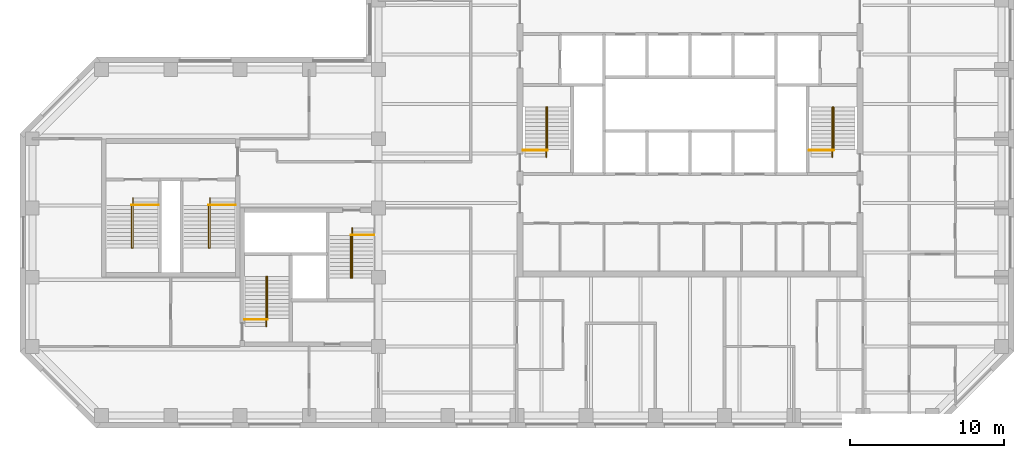
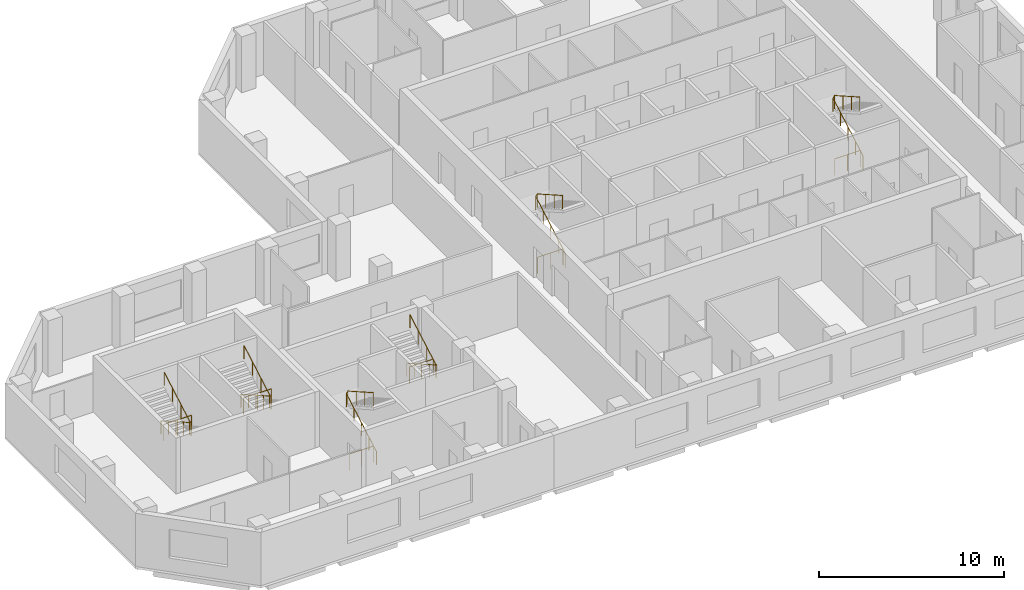
# One storey, part 9 of 9: 12 railings.
"""IFC4 building model written with IfcOpenShell, lengths in metres."""

from ifc_helpers import new_model, si_unit, direction, frame, origin, origin_2d, place, context, subcontext, project, spatial, circle, extrude, material, type_object, element, save


model = new_model("IFC4")

# Units and contexts
model_context = context("Model", 3, precision=1e-05, world=origin(), true_north=direction((0.0, 1.0)))
body_context = subcontext(model_context, "Body", "Model", "MODEL_VIEW")
ifc_project = project(units=[si_unit("LENGTHUNIT", "METRE"), si_unit("AREAUNIT", "SQUARE_METRE"), si_unit("VOLUMEUNIT", "CUBIC_METRE"), si_unit("PLANEANGLEUNIT", "RADIAN"), si_unit("MASSUNIT", "GRAM", prefix="KILO")], contexts=[model_context])

# Site, building, storey
site_placement = place(None, origin())
site = spatial("IfcSite", under=ifc_project, at=site_placement, CompositionType="ELEMENT")
building_placement = place(site_placement, origin())
building = spatial("IfcBuilding", under=site, at=building_placement, Name="Quoin Convention Tower", CompositionType="ELEMENT")
storey_placement = place(building_placement, frame((0.0, 0.0, 162.5)))
storey = spatial("IfcBuildingStorey", under=building, at=storey_placement, Name="L42", CompositionType="ELEMENT", Elevation=162.5)

# Railings
ifc_material = material(Name="Stainless steel", Category="steel")
railing_type_1 = type_object("IfcRailingType", Name="Stair handrail 900", PredefinedType="HANDRAIL", material=ifc_material)
railing_1_placement = place(storey_placement, frame((46.905029296875, 57.300048828125, 0.142333984375)))
element("IfcRailing", 1, at=railing_1_placement, inside=storey, type_object=railing_type_1, Name="SD1 handrail 1", PredefinedType="HANDRAIL", context=body_context, shape_type="SweptSolid", body=[
    extrude(circle(Radius=0.02392578125, at=origin_2d()), frame((0.0, 0.0, 0.8759765625), z_axis=(0.0, 0.869081571614, 0.494668800189), x_axis=(-1.0, 0.0, 0.0)), (0.0, 0.0, 1.0), 3.739501953125),
    extrude(circle(Radius=0.02392578125, at=origin_2d()), frame((0.0, 3.25, 2.7255859375), z_axis=(0.53481069233, 0.0, 0.844971906852), x_axis=(0.0, 1.0, 0.0)), (0.0, 0.0, 1.0), 0.16845703125),
    extrude(circle(Radius=0.02392578125, at=origin_2d()), frame((0.090087890625, 3.25, 2.8681640625), z_axis=(0.0, -0.869058607571, 0.494709143443), x_axis=(1.0, 0.0, 0.0)), (0.0, 0.0, 1.0), 3.164306640625),
    extrude(circle(Radius=0.02099609375, at=origin_2d()), origin(), (0.0, 0.0, 1.0), 0.851806640625),
    extrude(circle(Radius=0.02099609375, at=origin_2d()), frame((0.0, 0.8125, 0.46240234375)), (0.0, 0.0, 1.0), 0.851806640625),
    extrude(circle(Radius=0.02099609375, at=origin_2d()), frame((0.0, 1.625, 0.9248046875)), (0.0, 0.0, 1.0), 0.851806640625),
    extrude(circle(Radius=0.02099609375, at=origin_2d()), frame((0.0, 2.4375, 1.387451171875)), (0.0, 0.0, 1.0), 0.851806640625),
    extrude(circle(Radius=0.02099609375, at=origin_2d()), frame((0.0, 3.25, 1.849853515625)), (0.0, 0.0, 1.0), 0.851806640625),
    extrude(circle(Radius=0.02099609375, at=origin_2d()), frame((0.090087890625, 3.25, 1.9921875)), (0.0, 0.0, 1.0), 0.851806640625),
    extrude(circle(Radius=0.02099609375, at=origin_2d()), frame((0.090087890625, 2.333251953125, 2.513916015625)), (0.0, 0.0, 1.0), 0.851806640625),
    extrude(circle(Radius=0.02099609375, at=origin_2d()), frame((0.090087890625, 1.416748046875, 3.035888671875)), (0.0, 0.0, 1.0), 0.851806640625),
    extrude(circle(Radius=0.02099609375, at=origin_2d()), frame((0.090087890625, 0.5, 3.5576171875)), (0.0, 0.0, 1.0), 0.851806640625),
])
railing_2_placement = place(storey_placement, frame((65.5048828125, 57.300048828125, 0.142333984375)))
element("IfcRailing", 2, at=railing_2_placement, inside=storey, type_object=railing_type_1, Name="SD2 handrail 1", PredefinedType="HANDRAIL", context=body_context, shape_type="SweptSolid", body=[
    extrude(circle(Radius=0.02392578125, at=origin_2d()), frame((0.0, 0.0, 0.8759765625), z_axis=(0.0, 0.869081571614, 0.494668800189), x_axis=(-1.0, 0.0, 0.0)), (0.0, 0.0, 1.0), 3.739501953125),
    extrude(circle(Radius=0.02392578125, at=origin_2d()), frame((0.0, 3.25, 2.7255859375), z_axis=(0.53481069233, 0.0, 0.844971906852), x_axis=(0.0, 1.0, 0.0)), (0.0, 0.0, 1.0), 0.16845703125),
    extrude(circle(Radius=0.02392578125, at=origin_2d()), frame((0.090087890625, 3.25, 2.8681640625), z_axis=(0.0, -0.869058607571, 0.494709143443), x_axis=(1.0, 0.0, 0.0)), (0.0, 0.0, 1.0), 3.164306640625),
    extrude(circle(Radius=0.02099609375, at=origin_2d()), origin(), (0.0, 0.0, 1.0), 0.851806640625),
    extrude(circle(Radius=0.02099609375, at=origin_2d()), frame((0.0, 0.8125, 0.46240234375)), (0.0, 0.0, 1.0), 0.851806640625),
    extrude(circle(Radius=0.02099609375, at=origin_2d()), frame((0.0, 1.625, 0.9248046875)), (0.0, 0.0, 1.0), 0.851806640625),
    extrude(circle(Radius=0.02099609375, at=origin_2d()), frame((0.0, 2.4375, 1.387451171875)), (0.0, 0.0, 1.0), 0.851806640625),
    extrude(circle(Radius=0.02099609375, at=origin_2d()), frame((0.0, 3.25, 1.849853515625)), (0.0, 0.0, 1.0), 0.851806640625),
    extrude(circle(Radius=0.02099609375, at=origin_2d()), frame((0.090087890625, 3.25, 1.9921875)), (0.0, 0.0, 1.0), 0.851806640625),
    extrude(circle(Radius=0.02099609375, at=origin_2d()), frame((0.090087890625, 2.333251953125, 2.513916015625)), (0.0, 0.0, 1.0), 0.851806640625),
    extrude(circle(Radius=0.02099609375, at=origin_2d()), frame((0.090087890625, 1.416748046875, 3.035888671875)), (0.0, 0.0, 1.0), 0.851806640625),
    extrude(circle(Radius=0.02099609375, at=origin_2d()), frame((0.090087890625, 0.5, 3.5576171875)), (0.0, 0.0, 1.0), 0.851806640625),
])
railing_3_placement = place(storey_placement, frame((28.705078125, 46.300048828125, 0.142333984375)))
element("IfcRailing", 3, at=railing_3_placement, inside=storey, type_object=railing_type_1, Name="SD3 handrail 1", PredefinedType="HANDRAIL", context=body_context, shape_type="SweptSolid", body=[
    extrude(circle(Radius=0.02392578125, at=origin_2d()), frame((0.0, 0.0, 0.8759765625), z_axis=(0.0, 0.869081571614, 0.494668800189), x_axis=(-1.0, 0.0, 0.0)), (0.0, 0.0, 1.0), 3.739501953125),
    extrude(circle(Radius=0.02392578125, at=origin_2d()), frame((0.0, 3.25, 2.7255859375), z_axis=(0.533774684331, 0.0, 0.845626741753), x_axis=(0.0, 1.0, 0.0)), (0.0, 0.0, 1.0), 0.168212890625),
    extrude(circle(Radius=0.02392578125, at=origin_2d()), frame((0.08984375, 3.25, 2.8681640625), z_axis=(0.0, -0.869058607571, 0.494709143443), x_axis=(1.0, 0.0, 0.0)), (0.0, 0.0, 1.0), 3.164306640625),
    extrude(circle(Radius=0.02099609375, at=origin_2d()), origin(), (0.0, 0.0, 1.0), 0.851806640625),
    extrude(circle(Radius=0.02099609375, at=origin_2d()), frame((0.0, 0.8125, 0.46240234375)), (0.0, 0.0, 1.0), 0.851806640625),
    extrude(circle(Radius=0.02099609375, at=origin_2d()), frame((0.0, 1.625, 0.9248046875)), (0.0, 0.0, 1.0), 0.851806640625),
    extrude(circle(Radius=0.02099609375, at=origin_2d()), frame((0.0, 2.4375, 1.387451171875)), (0.0, 0.0, 1.0), 0.851806640625),
    extrude(circle(Radius=0.02099609375, at=origin_2d()), frame((0.0, 3.25, 1.849853515625)), (0.0, 0.0, 1.0), 0.851806640625),
    extrude(circle(Radius=0.02099609375, at=origin_2d()), frame((0.08984375, 3.25, 1.9921875)), (0.0, 0.0, 1.0), 0.851806640625),
    extrude(circle(Radius=0.02099609375, at=origin_2d()), frame((0.08984375, 2.333251953125, 2.513916015625)), (0.0, 0.0, 1.0), 0.851806640625),
    extrude(circle(Radius=0.02099609375, at=origin_2d()), frame((0.08984375, 1.416748046875, 3.035888671875)), (0.0, 0.0, 1.0), 0.851806640625),
    extrude(circle(Radius=0.02099609375, at=origin_2d()), frame((0.08984375, 0.5, 3.5576171875)), (0.0, 0.0, 1.0), 0.851806640625),
])
railing_4_placement = place(storey_placement, frame((34.294921875, 52.699951171875, 0.142333984375)))
element("IfcRailing", 4, at=railing_4_placement, inside=storey, type_object=railing_type_1, Name="SD4 handrail 1", PredefinedType="HANDRAIL", context=body_context, shape_type="SweptSolid", body=[
    extrude(circle(Radius=0.02392578125, at=origin_2d()), frame((0.0, 0.0, 0.8759765625), z_axis=(0.0, -0.869081571614, 0.494668800189), x_axis=(1.0, 0.0, 0.0)), (0.0, 0.0, 1.0), 3.739501953125),
    extrude(circle(Radius=0.02392578125, at=origin_2d()), frame((0.0, -3.25, 2.7255859375), z_axis=(-0.533774684331, 0.0, 0.845626741753), x_axis=(0.0, -1.0, 0.0)), (0.0, 0.0, 1.0), 0.168212890625),
    extrude(circle(Radius=0.02392578125, at=origin_2d()), frame((-0.08984375, -3.25, 2.8681640625), z_axis=(0.0, 0.869058607571, 0.494709143443), x_axis=(-1.0, 0.0, 0.0)), (0.0, 0.0, 1.0), 3.164306640625),
    extrude(circle(Radius=0.02099609375, at=origin_2d()), origin(), (0.0, 0.0, 1.0), 0.851806640625),
    extrude(circle(Radius=0.02099609375, at=origin_2d()), frame((0.0, -0.8125, 0.46240234375)), (0.0, 0.0, 1.0), 0.851806640625),
    extrude(circle(Radius=0.02099609375, at=origin_2d()), frame((0.0, -1.625, 0.9248046875)), (0.0, 0.0, 1.0), 0.851806640625),
    extrude(circle(Radius=0.02099609375, at=origin_2d()), frame((0.0, -2.4375, 1.387451171875)), (0.0, 0.0, 1.0), 0.851806640625),
    extrude(circle(Radius=0.02099609375, at=origin_2d()), frame((0.0, -3.25, 1.849853515625)), (0.0, 0.0, 1.0), 0.851806640625),
    extrude(circle(Radius=0.02099609375, at=origin_2d()), frame((-0.08984375, -3.25, 1.9921875)), (0.0, 0.0, 1.0), 0.851806640625),
    extrude(circle(Radius=0.02099609375, at=origin_2d()), frame((-0.08984375, -2.333251953125, 2.513916015625)), (0.0, 0.0, 1.0), 0.851806640625),
    extrude(circle(Radius=0.02099609375, at=origin_2d()), frame((-0.08984375, -1.416748046875, 3.035888671875)), (0.0, 0.0, 1.0), 0.851806640625),
    extrude(circle(Radius=0.02099609375, at=origin_2d()), frame((-0.08984375, -0.5, 3.5576171875)), (0.0, 0.0, 1.0), 0.851806640625),
])
railing_5_placement = place(storey_placement, frame((20.044921875, 54.64990234375, 0.142333984375)))
element("IfcRailing", 5, at=railing_5_placement, inside=storey, type_object=railing_type_1, Name="SD11 handrail 1", PredefinedType="HANDRAIL", context=body_context, shape_type="SweptSolid", body=[
    extrude(circle(Radius=0.02392578125, at=origin_2d()), frame((0.0, 0.0, 0.8759765625), z_axis=(0.0, -0.869081571614, 0.494668800189), x_axis=(1.0, 0.0, 0.0)), (0.0, 0.0, 1.0), 3.739501953125),
    extrude(circle(Radius=0.02392578125, at=origin_2d()), frame((0.0, -3.25, 2.7255859375), z_axis=(-0.533774684331, 0.0, 0.845626741753), x_axis=(0.0, -1.0, 0.0)), (0.0, 0.0, 1.0), 0.168212890625),
    extrude(circle(Radius=0.02392578125, at=origin_2d()), frame((-0.08984375, -3.25, 2.8681640625), z_axis=(0.0, 0.869058607571, 0.494709143443), x_axis=(-1.0, 0.0, 0.0)), (0.0, 0.0, 1.0), 3.164306640625),
    extrude(circle(Radius=0.02099609375, at=origin_2d()), origin(), (0.0, 0.0, 1.0), 0.851806640625),
    extrude(circle(Radius=0.02099609375, at=origin_2d()), frame((0.0, -0.8125, 0.46240234375)), (0.0, 0.0, 1.0), 0.851806640625),
    extrude(circle(Radius=0.02099609375, at=origin_2d()), frame((0.0, -1.625, 0.9248046875)), (0.0, 0.0, 1.0), 0.851806640625),
    extrude(circle(Radius=0.02099609375, at=origin_2d()), frame((0.0, -2.4375, 1.387451171875)), (0.0, 0.0, 1.0), 0.851806640625),
    extrude(circle(Radius=0.02099609375, at=origin_2d()), frame((0.0, -3.25, 1.849853515625)), (0.0, 0.0, 1.0), 0.851806640625),
    extrude(circle(Radius=0.02099609375, at=origin_2d()), frame((-0.08984375, -3.25, 1.9921875)), (0.0, 0.0, 1.0), 0.851806640625),
    extrude(circle(Radius=0.02099609375, at=origin_2d()), frame((-0.08984375, -2.333251953125, 2.513916015625)), (0.0, 0.0, 1.0), 0.851806640625),
    extrude(circle(Radius=0.02099609375, at=origin_2d()), frame((-0.08984375, -1.416748046875, 3.035888671875)), (0.0, 0.0, 1.0), 0.851806640625),
    extrude(circle(Radius=0.02099609375, at=origin_2d()), frame((-0.08984375, -0.5, 3.5576171875)), (0.0, 0.0, 1.0), 0.851806640625),
])
railing_6_placement = place(storey_placement, frame((25.044921875, 54.64990234375, 0.142333984375)))
element("IfcRailing", 6, at=railing_6_placement, inside=storey, type_object=railing_type_1, Name="SD12 handrail 1", PredefinedType="HANDRAIL", context=body_context, shape_type="SweptSolid", body=[
    extrude(circle(Radius=0.02392578125, at=origin_2d()), frame((0.0, 0.0, 0.8759765625), z_axis=(0.0, -0.869081571614, 0.494668800189), x_axis=(1.0, 0.0, 0.0)), (0.0, 0.0, 1.0), 3.739501953125),
    extrude(circle(Radius=0.02392578125, at=origin_2d()), frame((0.0, -3.25, 2.7255859375), z_axis=(-0.533774684331, 0.0, 0.845626741753), x_axis=(0.0, -1.0, 0.0)), (0.0, 0.0, 1.0), 0.168212890625),
    extrude(circle(Radius=0.02392578125, at=origin_2d()), frame((-0.08984375, -3.25, 2.8681640625), z_axis=(0.0, 0.869058607571, 0.494709143443), x_axis=(-1.0, 0.0, 0.0)), (0.0, 0.0, 1.0), 3.164306640625),
    extrude(circle(Radius=0.02099609375, at=origin_2d()), origin(), (0.0, 0.0, 1.0), 0.851806640625),
    extrude(circle(Radius=0.02099609375, at=origin_2d()), frame((0.0, -0.8125, 0.46240234375)), (0.0, 0.0, 1.0), 0.851806640625),
    extrude(circle(Radius=0.02099609375, at=origin_2d()), frame((0.0, -1.625, 0.9248046875)), (0.0, 0.0, 1.0), 0.851806640625),
    extrude(circle(Radius=0.02099609375, at=origin_2d()), frame((0.0, -2.4375, 1.387451171875)), (0.0, 0.0, 1.0), 0.851806640625),
    extrude(circle(Radius=0.02099609375, at=origin_2d()), frame((0.0, -3.25, 1.849853515625)), (0.0, 0.0, 1.0), 0.851806640625),
    extrude(circle(Radius=0.02099609375, at=origin_2d()), frame((-0.08984375, -3.25, 1.9921875)), (0.0, 0.0, 1.0), 0.851806640625),
    extrude(circle(Radius=0.02099609375, at=origin_2d()), frame((-0.08984375, -2.333251953125, 2.513916015625)), (0.0, 0.0, 1.0), 0.851806640625),
    extrude(circle(Radius=0.02099609375, at=origin_2d()), frame((-0.08984375, -1.416748046875, 3.035888671875)), (0.0, 0.0, 1.0), 0.851806640625),
    extrude(circle(Radius=0.02099609375, at=origin_2d()), frame((-0.08984375, -0.5, 3.5576171875)), (0.0, 0.0, 1.0), 0.851806640625),
])
railing_type_2 = type_object("IfcRailingType", Name="Stair top guard 1100", PredefinedType="GUARDRAIL", material=ifc_material)
railing_7_placement = place(storey_placement, frame((45.39990234375, 57.75, 0.0)))
element("IfcRailing", 7, at=railing_7_placement, inside=storey, type_object=railing_type_2, Name="SD1 top guard", PredefinedType="GUARDRAIL", context=body_context, shape_type="SweptSolid", body=[
    extrude(circle(Radius=0.02392578125, at=origin_2d()), frame((0.0, 0.0, 1.076171875), z_axis=(1.0, 0.0, 0.0), x_axis=(0.0, 1.0, 0.0)), (0.0, 0.0, 1.0), 1.59521484375),
    extrude(circle(Radius=0.02099609375, at=origin_2d()), origin(), (0.0, 0.0, 1.0), 1.052001953125),
    extrude(circle(Radius=0.02099609375, at=origin_2d()), frame((0.797607421875, 0.0, 0.0)), (0.0, 0.0, 1.0), 1.052001953125),
    extrude(circle(Radius=0.02099609375, at=origin_2d()), frame((1.59521484375, 0.0, 0.0)), (0.0, 0.0, 1.0), 1.052001953125),
])
railing_8_placement = place(storey_placement, frame((64.0, 57.75, 0.0)))
element("IfcRailing", 8, at=railing_8_placement, inside=storey, type_object=railing_type_2, Name="SD2 top guard", PredefinedType="GUARDRAIL", context=body_context, shape_type="SweptSolid", body=[
    extrude(circle(Radius=0.02392578125, at=origin_2d()), frame((0.0, 0.0, 1.076171875), z_axis=(1.0, 0.0, 0.0), x_axis=(0.0, 1.0, 0.0)), (0.0, 0.0, 1.0), 1.594970703125),
    extrude(circle(Radius=0.02099609375, at=origin_2d()), origin(), (0.0, 0.0, 1.0), 1.052001953125),
    extrude(circle(Radius=0.02099609375, at=origin_2d()), frame((0.79736328125, 0.0, 0.0)), (0.0, 0.0, 1.0), 1.052001953125),
    extrude(circle(Radius=0.02099609375, at=origin_2d()), frame((1.594970703125, 0.0, 0.0)), (0.0, 0.0, 1.0), 1.052001953125),
])
railing_9_placement = place(storey_placement, frame((27.300048828125, 46.75, 0.0)))
element("IfcRailing", 9, at=railing_9_placement, inside=storey, type_object=railing_type_2, Name="SD3 top guard", PredefinedType="GUARDRAIL", context=body_context, shape_type="SweptSolid", body=[
    extrude(circle(Radius=0.02392578125, at=origin_2d()), frame((0.0, 0.0, 1.076171875), z_axis=(1.0, 0.0, 0.0), x_axis=(0.0, 1.0, 0.0)), (0.0, 0.0, 1.0), 1.494873046875),
    extrude(circle(Radius=0.02099609375, at=origin_2d()), origin(), (0.0, 0.0, 1.0), 1.052001953125),
    extrude(circle(Radius=0.02099609375, at=origin_2d()), frame((0.74755859375, 0.0, 0.0)), (0.0, 0.0, 1.0), 1.052001953125),
    extrude(circle(Radius=0.02099609375, at=origin_2d()), frame((1.494873046875, 0.0, 0.0)), (0.0, 0.0, 1.0), 1.052001953125),
])
railing_10_placement = place(storey_placement, frame((35.699951171875, 52.25, 0.0)))
element("IfcRailing", 10, at=railing_10_placement, inside=storey, type_object=railing_type_2, Name="SD4 top guard", PredefinedType="GUARDRAIL", context=body_context, shape_type="SweptSolid", body=[
    extrude(circle(Radius=0.02392578125, at=origin_2d()), frame((0.0, 0.0, 1.076171875), z_axis=(-1.0, 0.0, 0.0), x_axis=(0.0, -1.0, 0.0)), (0.0, 0.0, 1.0), 1.494873046875),
    extrude(circle(Radius=0.02099609375, at=origin_2d()), origin(), (0.0, 0.0, 1.0), 1.052001953125),
    extrude(circle(Radius=0.02099609375, at=origin_2d()), frame((-0.74755859375, 0.0, 0.0)), (0.0, 0.0, 1.0), 1.052001953125),
    extrude(circle(Radius=0.02099609375, at=origin_2d()), frame((-1.494873046875, 0.0, 0.0)), (0.0, 0.0, 1.0), 1.052001953125),
])
for number, where, name in (
    (11, (21.699951171875, 54.199951171875, 0.0), "SD11 top guard"),
    (12, (26.699951171875, 54.199951171875, 0.0), "SD12 top guard"),
):
    element("IfcRailing", number, at=place(storey_placement, frame(where)), inside=storey, type_object=railing_type_2, Name=name, PredefinedType="GUARDRAIL", context=body_context, shape_type="SweptSolid", body=[
        extrude(circle(Radius=0.02392578125, at=origin_2d()), frame((0.0, 0.0, 1.076171875), z_axis=(-1.0, 0.0, 0.0), x_axis=(0.0, -1.0, 0.0)), (0.0, 0.0, 1.0), 1.744873046875),
        extrude(circle(Radius=0.02099609375, at=origin_2d()), origin(), (0.0, 0.0, 1.0), 1.052001953125),
        extrude(circle(Radius=0.02099609375, at=origin_2d()), frame((-0.87255859375, 0.0, 0.0)), (0.0, 0.0, 1.0), 1.052001953125),
        extrude(circle(Radius=0.02099609375, at=origin_2d()), frame((-1.744873046875, 0.0, 0.0)), (0.0, 0.0, 1.0), 1.052001953125),
    ])

save(model, "model.ifc")
